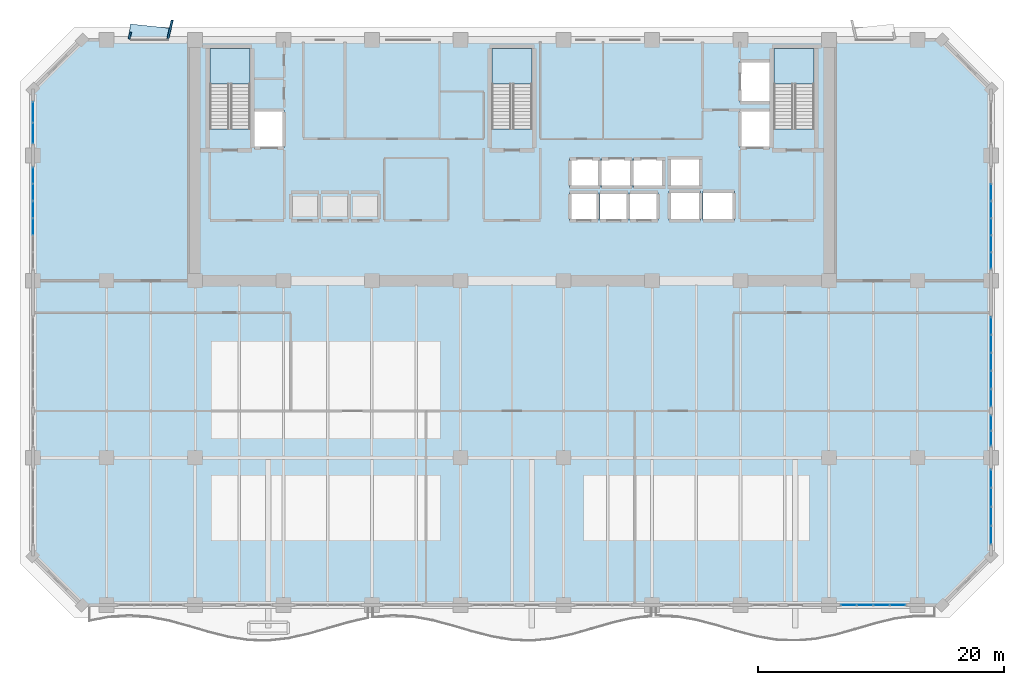
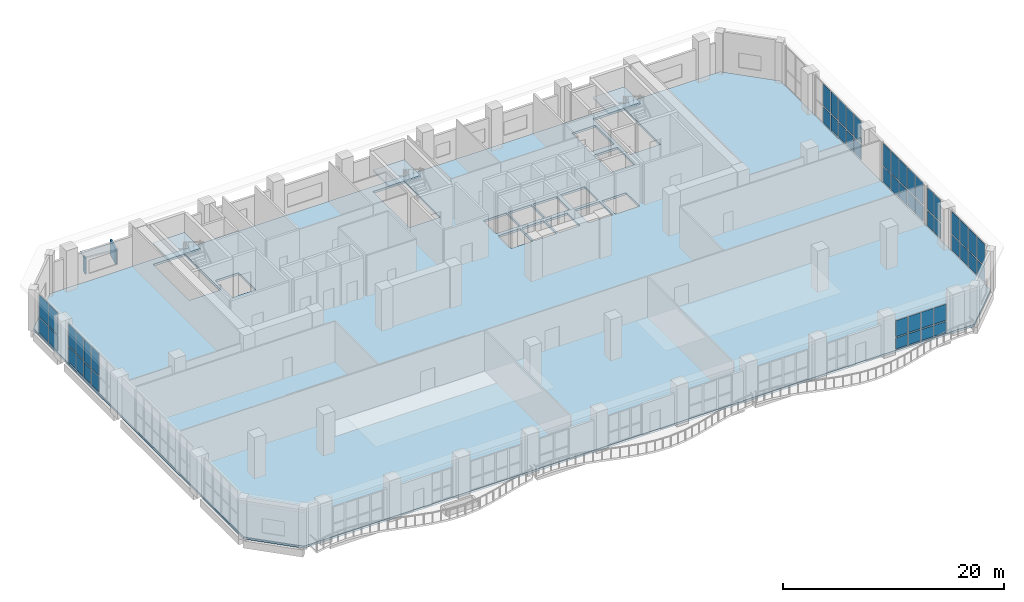
# One storey, part 27 of 37: 55 plates, 4 slabs, 10 elements without a shape of their own.
"""IFC4 building model written with IfcOpenShell, lengths in metres."""

import ifcopenshell
import ifcopenshell.guid

model = None  # the IFC model being written
_history = None  # IfcOwnerHistory: only IFC2X3 demands one
_inside = {}  # id of a spatial element -> (the spatial element, [elements in it])
_under = {}  # id of a project, library or spatial element -> (it, [spatial elements below it])
_declared = {}  # id of a project -> (the project, [libraries it declares])
_typed = {}  # id of a type object -> (the type object, [elements of that type])
_made_of = {}  # id of a material, layer set ... -> (it, [elements and type objects made of it])


def new_model(schema):
    """Start an empty IFC model of exactly this schema.

    Asked for "IFC4X3", IfcOpenShell would pick the latest addendum, in which some entities
    have other attributes; the version numbers below select the first issue.
    IFC2X3 requires an IfcOwnerHistory on every rooted entity: one is made here for all.
    """
    global model, _history
    if schema == "IFC4X3":
        model = ifcopenshell.file(schema_version=(4, 3, 0, 0))
    else:
        model = ifcopenshell.file(schema=schema)
    _inside.clear()
    _under.clear()
    _declared.clear()
    _typed.clear()
    _made_of.clear()
    _history = None
    if model.schema == "IFC2X3":
        org = make("IfcOrganization", Name="unknown")
        user = make(
            "IfcPersonAndOrganization",
            ThePerson=make("IfcPerson", FamilyName="unknown"),
            TheOrganization=org,
        )
        app = make(
            "IfcApplication",
            ApplicationDeveloper=org,
            Version="unknown",
            ApplicationFullName="unknown",
            ApplicationIdentifier="unknown",
        )
        _history = make(
            "IfcOwnerHistory",
            OwningUser=user,
            OwningApplication=app,
            ChangeAction="ADDED",
            CreationDate=0,
        )
    return model


def make(cls, **values):
    """One entity of the class cls with the attributes given. An attribute that is None is left unset."""
    return model.create_entity(
        cls, **{name: value for name, value in values.items() if value is not None}
    )


def rooted(cls, **values):
    """An entity with a GlobalId (a new one), such as an element, a storey or a relation."""
    return make(cls, GlobalId=ifcopenshell.guid.new(), OwnerHistory=_history, **values)


def si_unit(unit_type, name, prefix=None):
    """IfcSIUnit, for example si_unit("LENGTHUNIT", "METRE", prefix="MILLI")."""
    return make("IfcSIUnit", UnitType=unit_type, Prefix=prefix, Name=name)


def assignment(units):
    """IfcUnitAssignment: the units of a project."""
    return None if units is None else make("IfcUnitAssignment", Units=units)


def point(xyz):
    """IfcCartesianPoint."""
    return None if xyz is None else make("IfcCartesianPoint", Coordinates=xyz)


def direction(xyz):
    """IfcDirection."""
    return None if xyz is None else make("IfcDirection", DirectionRatios=xyz)


def frame(location, z_axis=None, x_axis=None):
    """IfcAxis2Placement3D, a coordinate frame: its origin and axes. An axis left out is left unset."""
    return make(
        "IfcAxis2Placement3D",
        Location=point(location),
        Axis=direction(z_axis),
        RefDirection=direction(x_axis),
    )


def frame_2d(location, x_axis=None):
    """IfcAxis2Placement2D, a coordinate frame in the plane: its origin and x axis."""
    return make(
        "IfcAxis2Placement2D", Location=point(location), RefDirection=direction(x_axis)
    )


def origin():
    """The frame at (0, 0, 0) with its axes left unset."""
    return frame((0.0, 0.0, 0.0))


def origin_2d():
    """The frame at (0, 0) in the plane with its x axis left unset."""
    return frame_2d((0.0, 0.0))


def place(relative_to, where):
    """IfcLocalPlacement: puts the frame where relative to a parent placement (None: the world)."""
    return make(
        "IfcLocalPlacement", PlacementRelTo=relative_to, RelativePlacement=where
    )


def context(
    kind, dimensions, precision=None, world=None, true_north=None, identifier=None
):
    """IfcGeometricRepresentationContext, for example the 3D "Model" context."""
    return make(
        "IfcGeometricRepresentationContext",
        ContextIdentifier=identifier,
        ContextType=kind,
        CoordinateSpaceDimension=dimensions,
        Precision=precision,
        WorldCoordinateSystem=world,
        TrueNorth=true_north,
    )


def subcontext(parent, identifier, kind, view, scale=None):
    """IfcGeometricRepresentationSubContext, for example "Body" below "Model"."""
    return make(
        "IfcGeometricRepresentationSubContext",
        ContextIdentifier=identifier,
        ContextType=kind,
        ParentContext=parent,
        TargetScale=scale,
        TargetView=view,
    )


def project(units=None, contexts=None):
    """IfcProject with its units and contexts."""
    return rooted(
        "IfcProject",
        Name="project",
        RepresentationContexts=contexts,
        UnitsInContext=assignment(units),
    )


def spatial(cls, under=None, at=None, **own):
    """A site, building, storey or space (cls), placed at a placement, below another one or the project."""
    s = rooted(cls, ObjectPlacement=at, **own)
    if under is not None:
        _under.setdefault(under.id(), (under, []))[1].append(s)
    return s


def polyline(points):
    """IfcPolyline through the points."""
    return make("IfcPolyline", Points=[point(p) for p in points])


def profile(cls, at=None, kind="AREA", **sizes):
    """A parametric profile (cls). Its sizes go by their IFC names, for example OverallWidth=200.0."""
    return make(cls, ProfileType=kind, Position=at, **sizes)


def rectangle(**sizes):
    """IfcRectangleProfileDef."""
    return profile("IfcRectangleProfileDef", **sizes)


def outline(outer, holes=None, kind="AREA"):
    """IfcArbitraryClosedProfileDef: a profile drawn as a closed curve; with holes, ...WithVoids."""
    if holes is None:
        return make("IfcArbitraryClosedProfileDef", ProfileType=kind, OuterCurve=outer)
    return make(
        "IfcArbitraryProfileDefWithVoids",
        ProfileType=kind,
        OuterCurve=outer,
        InnerCurves=holes,
    )


def extrude(swept, where, along, depth):
    """IfcExtrudedAreaSolid: the profile swept, set in the frame where, extruded along a direction by depth."""
    return make(
        "IfcExtrudedAreaSolid",
        SweptArea=swept,
        Position=where,
        ExtrudedDirection=direction(along),
        Depth=depth,
    )


def shape(context_of_items, identifier, shape_type, items):
    """IfcShapeRepresentation: the items that make up one representation, for example the "Body"."""
    return make(
        "IfcShapeRepresentation",
        ContextOfItems=context_of_items,
        RepresentationIdentifier=identifier,
        RepresentationType=shape_type,
        Items=items,
    )


def material(Name=None, Category=None):
    """IfcMaterial."""
    return make("IfcMaterial", Name=Name, Category=Category)


def layer(
    of_material, thickness, ventilated=None, Name=None, Category=None, Priority=None
):
    """IfcMaterialLayer: one layer of a wall or slab, of a material (None: an air gap)."""
    return make(
        "IfcMaterialLayer",
        Material=of_material,
        LayerThickness=thickness,
        IsVentilated=ventilated,
        Name=Name,
        Category=Category,
        Priority=Priority,
    )


def layer_set(layers, Name=None):
    """IfcMaterialLayerSet."""
    return make("IfcMaterialLayerSet", MaterialLayers=layers, LayerSetName=Name)


def made_of(thing, what):
    """Note that an element or type object is made of a material, layer set ...; save() writes the relation."""
    if what is not None:
        _made_of.setdefault(what.id(), (what, []))[1].append(thing)
    return thing


def type_object(cls, material=None, **own):
    """A type object (cls), such as IfcWallType, which elements share."""
    return made_of(rooted(cls, **own), material)


def element(
    cls,
    number,
    at=None,
    inside=None,
    cuts=None,
    type_object=None,
    material=None,
    context=None,
    identifier="Body",
    shape_type=None,
    held_by="IfcProductDefinitionShape",
    body=None,
    shapes=None,
    **own,
):
    """One element of the class cls, such as IfcWall. Its Tag is "e" and its number.

    at: its placement. inside: the storey or other place that contains it. cuts: it is an
    opening in that element (IfcRelVoidsElement). A single representation is given by context,
    identifier, shape_type and body (its items); several are given by shapes. held_by: the class
    of the entity that holds the representations. save() writes the other relations.
    """
    e = rooted(cls, Tag="e%d" % number, ObjectPlacement=at, **own)
    if body is not None:
        shapes = [shape(context, identifier, shape_type, body)]
    if shapes is not None:
        e.Representation = make(held_by, Representations=shapes)
    if inside is not None:
        _inside.setdefault(inside.id(), (inside, []))[1].append(e)
    if cuts is not None:
        rooted(
            "IfcRelVoidsElement", RelatingBuildingElement=cuts, RelatedOpeningElement=e
        )
    if type_object is not None:
        _typed.setdefault(type_object.id(), (type_object, []))[1].append(e)
    return made_of(e, material)


def aggregate(whole, parts):
    """IfcRelAggregates: a whole, such as a stair, and the parts it consists of."""
    return rooted("IfcRelAggregates", RelatingObject=whole, RelatedObjects=parts)


def save(model, path):
    """Write the relations noted so far, then the file.

    IfcRelAggregates (storeys below a building ...), IfcRelContainedInSpatialStructure (elements
    in a storey), IfcRelDefinesByType, IfcRelAssociatesMaterial and IfcRelDeclares: one each for
    every whole, place, type object, material and project.
    """
    for whole, parts in _under.values():
        aggregate(whole, parts)
    for where, things in _inside.values():
        rooted(
            "IfcRelContainedInSpatialStructure",
            RelatedElements=things,
            RelatingStructure=where,
        )
    for kind, things in _typed.values():
        rooted("IfcRelDefinesByType", RelatedObjects=things, RelatingType=kind)
    for what, things in _made_of.values():
        rooted("IfcRelAssociatesMaterial", RelatedObjects=things, RelatingMaterial=what)
    for by, libraries in _declared.values():
        rooted("IfcRelDeclares", RelatingContext=by, RelatedDefinitions=libraries)
    model.write(path)


model = new_model("IFC4")

# Units and contexts
model_context = context("Model", 3, precision=1e-05, world=origin(), true_north=direction((0.0, 1.0)))
body_context = subcontext(model_context, "Body", "Model", "MODEL_VIEW")
ifc_project = project(units=[si_unit("LENGTHUNIT", "METRE"), si_unit("AREAUNIT", "SQUARE_METRE"), si_unit("VOLUMEUNIT", "CUBIC_METRE"), si_unit("PLANEANGLEUNIT", "RADIAN"), si_unit("MASSUNIT", "GRAM", prefix="KILO")], contexts=[model_context])

# Site, building, storey
site_placement = place(None, origin())
site = spatial("IfcSite", under=ifc_project, at=site_placement, CompositionType="ELEMENT")
building_placement = place(site_placement, origin())
building = spatial("IfcBuilding", under=site, at=building_placement, Name="Kaelvorn Grand Hotel", CompositionType="ELEMENT")
storey_placement = place(building_placement, frame((0.0, 0.0, 224.35009765625)))
storey = spatial("IfcBuildingStorey", under=building, at=storey_placement, Name="L55", CompositionType="ELEMENT", Elevation=224.35009765625)

# Curtain wall, plates
ifc_material_1 = material(Name="Anodised Aluminium", Category="aluminium")
ifc_layer_1 = layer(ifc_material_1, 0.179931640625)
ifc_layer_set_1 = layer_set([ifc_layer_1], Name="Anodised Aluminium")
curtain_wall_type = type_object("IfcCurtainWallType", Name="CW-SYS4", PredefinedType="NOTDEFINED", material=ifc_layer_set_1)
curtain_wall_1_placement = place(storey_placement, origin())
curtain_wall_1 = element("IfcCurtainWall", 1, at=curtain_wall_1_placement, inside=storey, type_object=curtain_wall_type, Name="L55 Unitised Curtain Wall CW4 (CW-L55-SB4-01)", PredefinedType="NOTDEFINED")
ifc_material_2 = material(Name="Laminated Low-E Glass", Category="glass")
ifc_layer_2 = layer(ifc_material_2, 0.028076171875)
ifc_layer_set_2 = layer_set([ifc_layer_2], Name="Laminated Low-E Glass")
plate_type_1 = type_object("IfcPlateType", Name="CW-SYS4-PAN", PredefinedType="CURTAIN_PANEL", material=ifc_layer_set_2)
plate_1_placement = place(storey_placement, frame((69.407470703125, 3.0, 0.134765625), z_axis=(0.0, 0.0, 1.0), x_axis=(1.0, 0.0, 0.0)))
plate_1 = element("IfcPlate", 2, at=plate_1_placement, type_object=plate_type_1, Name="CW4 panel 1.1", PredefinedType="CURTAIN_PANEL", context=body_context, shape_type="SweptSolid", body=[
    extrude(rectangle(XDim=1.235107421875, YDim=0.028076171875, at=origin_2d()), origin(), (0.0, 0.0, 1.0), 1.2255859375),
])
plate_2_placement = place(storey_placement, frame((69.407470703125, 3.0, 1.495361328125), z_axis=(0.0, 0.0, 1.0), x_axis=(1.0, 0.0, 0.0)))
plate_2 = element("IfcPlate", 3, at=plate_2_placement, type_object=plate_type_1, Name="CW4 panel 1.2", PredefinedType="CURTAIN_PANEL", context=body_context, shape_type="SweptSolid", body=[
    extrude(rectangle(XDim=1.235107421875, YDim=0.028076171875, at=origin_2d()), origin(), (0.0, 0.0, 1.0), 1.76953125),
])
plate_3_placement = place(storey_placement, frame((70.72998046875, 3.0, 0.134765625), z_axis=(0.0, 0.0, 1.0), x_axis=(1.0, 0.0, 0.0)))
plate_3 = element("IfcPlate", 4, at=plate_3_placement, type_object=plate_type_1, Name="CW4 panel 2.1", PredefinedType="CURTAIN_PANEL", context=body_context, shape_type="SweptSolid", body=[
    extrude(rectangle(XDim=1.27001953125, YDim=0.028076171875, at=origin_2d()), origin(), (0.0, 0.0, 1.0), 1.2255859375),
])
plate_4_placement = place(storey_placement, frame((70.72998046875, 3.0, 1.495361328125), z_axis=(0.0, 0.0, 1.0), x_axis=(1.0, 0.0, 0.0)))
plate_4 = element("IfcPlate", 5, at=plate_4_placement, type_object=plate_type_1, Name="CW4 panel 2.2", PredefinedType="CURTAIN_PANEL", context=body_context, shape_type="SweptSolid", body=[
    extrude(rectangle(XDim=1.27001953125, YDim=0.028076171875, at=origin_2d()), origin(), (0.0, 0.0, 1.0), 1.76953125),
])
plate_5_placement = place(storey_placement, frame((72.070068359375, 3.0, 0.134765625), z_axis=(0.0, 0.0, 1.0), x_axis=(1.0, 0.0, 0.0)))
plate_5 = element("IfcPlate", 6, at=plate_5_placement, type_object=plate_type_1, Name="CW4 panel 3.1", PredefinedType="CURTAIN_PANEL", context=body_context, shape_type="SweptSolid", body=[
    extrude(rectangle(XDim=1.27001953125, YDim=0.028076171875, at=origin_2d()), origin(), (0.0, 0.0, 1.0), 1.2255859375),
])
plate_6_placement = place(storey_placement, frame((72.070068359375, 3.0, 1.495361328125), z_axis=(0.0, 0.0, 1.0), x_axis=(1.0, 0.0, 0.0)))
plate_6 = element("IfcPlate", 7, at=plate_6_placement, type_object=plate_type_1, Name="CW4 panel 3.2", PredefinedType="CURTAIN_PANEL", context=body_context, shape_type="SweptSolid", body=[
    extrude(rectangle(XDim=1.27001953125, YDim=0.028076171875, at=origin_2d()), origin(), (0.0, 0.0, 1.0), 1.76953125),
])
plate_7_placement = place(storey_placement, frame((73.392578125, 3.0, 0.134765625), z_axis=(0.0, 0.0, 1.0), x_axis=(1.0, 0.0, 0.0)))
plate_7 = element("IfcPlate", 8, at=plate_7_placement, type_object=plate_type_1, Name="CW4 panel 4.1", PredefinedType="CURTAIN_PANEL", context=body_context, shape_type="SweptSolid", body=[
    extrude(rectangle(XDim=1.235107421875, YDim=0.028076171875, at=origin_2d()), origin(), (0.0, 0.0, 1.0), 1.2255859375),
])
plate_8_placement = place(storey_placement, frame((73.392578125, 3.0, 1.495361328125), z_axis=(0.0, 0.0, 1.0), x_axis=(1.0, 0.0, 0.0)))
plate_8 = element("IfcPlate", 9, at=plate_8_placement, type_object=plate_type_1, Name="CW4 panel 4.2", PredefinedType="CURTAIN_PANEL", context=body_context, shape_type="SweptSolid", body=[
    extrude(rectangle(XDim=1.235107421875, YDim=0.028076171875, at=origin_2d()), origin(), (0.0, 0.0, 1.0), 1.76953125),
])
aggregate(curtain_wall_1, [plate_1, plate_2, plate_3, plate_4, plate_5, plate_6, plate_7, plate_8])

curtain_wall_2_placement = place(storey_placement, origin())
curtain_wall_2 = element("IfcCurtainWall", 10, at=curtain_wall_2_placement, inside=storey, type_object=curtain_wall_type, Name="L55 Unitised Curtain Wall CW4 (CW-L55-E-01)", PredefinedType="NOTDEFINED")
plate_9_placement = place(storey_placement, frame((81.0, 8.70751953125, 0.135009765625), z_axis=(0.0, 0.0, 1.0), x_axis=(0.0, 1.0, 0.0)))
plate_9 = element("IfcPlate", 11, at=plate_9_placement, type_object=plate_type_1, Name="CW4 panel 1.1", PredefinedType="CURTAIN_PANEL", context=body_context, shape_type="SweptSolid", body=[
    extrude(rectangle(XDim=1.43505859375, YDim=0.028076171875, at=origin_2d()), origin(), (0.0, 0.0, 1.0), 1.69580078125),
])
plate_10_placement = place(storey_placement, frame((81.0, 8.70751953125, 1.9658203125), z_axis=(0.0, 0.0, 1.0), x_axis=(0.0, 1.0, 0.0)))
plate_10 = element("IfcPlate", 12, at=plate_10_placement, type_object=plate_type_1, Name="CW4 panel 1.2", PredefinedType="CURTAIN_PANEL", context=body_context, shape_type="SweptSolid", body=[
    extrude(rectangle(XDim=1.43505859375, YDim=0.028076171875, at=origin_2d()), origin(), (0.0, 0.0, 1.0), 2.419189453125),
])
plate_11_placement = place(storey_placement, frame((81.0, 10.22998046875, 0.135009765625), z_axis=(0.0, 0.0, 1.0), x_axis=(0.0, 1.0, 0.0)))
plate_11 = element("IfcPlate", 13, at=plate_11_placement, type_object=plate_type_1, Name="CW4 panel 2.1", PredefinedType="CURTAIN_PANEL", context=body_context, shape_type="SweptSolid", body=[
    extrude(rectangle(XDim=1.469970703125, YDim=0.028076171875, at=origin_2d()), origin(), (0.0, 0.0, 1.0), 1.69580078125),
])
plate_12_placement = place(storey_placement, frame((81.0, 10.22998046875, 1.9658203125), z_axis=(0.0, 0.0, 1.0), x_axis=(0.0, 1.0, 0.0)))
plate_12 = element("IfcPlate", 14, at=plate_12_placement, type_object=plate_type_1, Name="CW4 panel 2.2", PredefinedType="CURTAIN_PANEL", context=body_context, shape_type="SweptSolid", body=[
    extrude(rectangle(XDim=1.469970703125, YDim=0.028076171875, at=origin_2d()), origin(), (0.0, 0.0, 1.0), 2.419189453125),
])
plate_13_placement = place(storey_placement, frame((81.0, 11.77001953125, 0.135009765625), z_axis=(0.0, 0.0, 1.0), x_axis=(0.0, 1.0, 0.0)))
plate_13 = element("IfcPlate", 15, at=plate_13_placement, type_object=plate_type_1, Name="CW4 panel 3.1", PredefinedType="CURTAIN_PANEL", context=body_context, shape_type="SweptSolid", body=[
    extrude(rectangle(XDim=1.469970703125, YDim=0.028076171875, at=origin_2d()), origin(), (0.0, 0.0, 1.0), 1.69580078125),
])
plate_14_placement = place(storey_placement, frame((81.0, 11.77001953125, 1.9658203125), z_axis=(0.0, 0.0, 1.0), x_axis=(0.0, 1.0, 0.0)))
plate_14 = element("IfcPlate", 16, at=plate_14_placement, type_object=plate_type_1, Name="CW4 panel 3.2", PredefinedType="CURTAIN_PANEL", context=body_context, shape_type="SweptSolid", body=[
    extrude(rectangle(XDim=1.469970703125, YDim=0.028076171875, at=origin_2d()), origin(), (0.0, 0.0, 1.0), 2.419189453125),
])
plate_15_placement = place(storey_placement, frame((81.0, 13.29248046875, 0.135009765625), z_axis=(0.0, 0.0, 1.0), x_axis=(0.0, 1.0, 0.0)))
plate_15 = element("IfcPlate", 17, at=plate_15_placement, type_object=plate_type_1, Name="CW4 panel 4.1", PredefinedType="CURTAIN_PANEL", context=body_context, shape_type="SweptSolid", body=[
    extrude(rectangle(XDim=1.43505859375, YDim=0.028076171875, at=origin_2d()), origin(), (0.0, 0.0, 1.0), 1.69580078125),
])
plate_16_placement = place(storey_placement, frame((81.0, 13.29248046875, 1.9658203125), z_axis=(0.0, 0.0, 1.0), x_axis=(0.0, 1.0, 0.0)))
plate_16 = element("IfcPlate", 18, at=plate_16_placement, type_object=plate_type_1, Name="CW4 panel 4.2", PredefinedType="CURTAIN_PANEL", context=body_context, shape_type="SweptSolid", body=[
    extrude(rectangle(XDim=1.43505859375, YDim=0.028076171875, at=origin_2d()), origin(), (0.0, 0.0, 1.0), 2.419189453125),
])
aggregate(curtain_wall_2, [plate_9, plate_10, plate_11, plate_12, plate_13, plate_14, plate_15, plate_16])

curtain_wall_3_placement = place(storey_placement, origin())
curtain_wall_3 = element("IfcCurtainWall", 19, at=curtain_wall_3_placement, inside=storey, type_object=curtain_wall_type, Name="L55 Unitised Curtain Wall CW4 (CW-L55-E-02)", PredefinedType="NOTDEFINED")
plate_17_placement = place(storey_placement, frame((81.0, 16.577392578125, 0.135009765625), z_axis=(0.0, 0.0, 1.0), x_axis=(0.0, 1.0, 0.0)))
plate_17 = element("IfcPlate", 20, at=plate_17_placement, type_object=plate_type_1, Name="CW4 panel 1.1", PredefinedType="CURTAIN_PANEL", context=body_context, shape_type="SweptSolid", body=[
    extrude(rectangle(XDim=1.175048828125, YDim=0.028076171875, at=origin_2d()), origin(), (0.0, 0.0, 1.0), 1.69580078125),
])
plate_18_placement = place(storey_placement, frame((81.0, 16.577392578125, 1.9658203125), z_axis=(0.0, 0.0, 1.0), x_axis=(0.0, 1.0, 0.0)))
plate_18 = element("IfcPlate", 21, at=plate_18_placement, type_object=plate_type_1, Name="CW4 panel 1.2", PredefinedType="CURTAIN_PANEL", context=body_context, shape_type="SweptSolid", body=[
    extrude(rectangle(XDim=1.175048828125, YDim=0.028076171875, at=origin_2d()), origin(), (0.0, 0.0, 1.0), 2.419189453125),
])
plate_19_placement = place(storey_placement, frame((81.0, 17.822509765625, 0.135009765625), z_axis=(0.0, 0.0, 1.0), x_axis=(0.0, 1.0, 0.0)))
plate_19 = element("IfcPlate", 22, at=plate_19_placement, type_object=plate_type_1, Name="CW4 panel 2.1", PredefinedType="CURTAIN_PANEL", context=body_context, shape_type="SweptSolid", body=[
    extrude(rectangle(XDim=1.175048828125, YDim=0.028076171875, at=origin_2d()), origin(), (0.0, 0.0, 1.0), 1.69580078125),
])
plate_20_placement = place(storey_placement, frame((81.0, 17.822509765625, 1.9658203125), z_axis=(0.0, 0.0, 1.0), x_axis=(0.0, 1.0, 0.0)))
plate_20 = element("IfcPlate", 23, at=plate_20_placement, type_object=plate_type_1, Name="CW4 panel 2.2", PredefinedType="CURTAIN_PANEL", context=body_context, shape_type="SweptSolid", body=[
    extrude(rectangle(XDim=1.175048828125, YDim=0.028076171875, at=origin_2d()), origin(), (0.0, 0.0, 1.0), 2.419189453125),
])
aggregate(curtain_wall_3, [plate_17, plate_18, plate_19, plate_20])

curtain_wall_4_placement = place(storey_placement, origin())
curtain_wall_4 = element("IfcCurtainWall", 24, at=curtain_wall_4_placement, inside=storey, type_object=curtain_wall_type, Name="L55 Unitised Curtain Wall CW4 (CW-L55-E-03)", PredefinedType="NOTDEFINED")
plate_21_placement = place(storey_placement, frame((81.0, 19.87353515625, 0.135009765625), z_axis=(0.0, 0.0, 1.0), x_axis=(0.0, 1.0, 0.0)))
plate_21 = element("IfcPlate", 25, at=plate_21_placement, type_object=plate_type_1, Name="CW4 panel 1.1", PredefinedType="CURTAIN_PANEL", context=body_context, shape_type="SweptSolid", body=[
    extrude(rectangle(XDim=1.366943359375, YDim=0.028076171875, at=origin_2d()), origin(), (0.0, 0.0, 1.0), 1.69580078125),
])
plate_22_placement = place(storey_placement, frame((81.0, 19.87353515625, 1.9658203125), z_axis=(0.0, 0.0, 1.0), x_axis=(0.0, 1.0, 0.0)))
plate_22 = element("IfcPlate", 26, at=plate_22_placement, type_object=plate_type_1, Name="CW4 panel 1.2", PredefinedType="CURTAIN_PANEL", context=body_context, shape_type="SweptSolid", body=[
    extrude(rectangle(XDim=1.366943359375, YDim=0.028076171875, at=origin_2d()), origin(), (0.0, 0.0, 1.0), 2.419189453125),
])
plate_23_placement = place(storey_placement, frame((81.0, 21.327880859375, 0.135009765625), z_axis=(0.0, 0.0, 1.0), x_axis=(0.0, 1.0, 0.0)))
plate_23 = element("IfcPlate", 27, at=plate_23_placement, type_object=plate_type_1, Name="CW4 panel 2.1", PredefinedType="CURTAIN_PANEL", context=body_context, shape_type="SweptSolid", body=[
    extrude(rectangle(XDim=1.402099609375, YDim=0.028076171875, at=origin_2d()), origin(), (0.0, 0.0, 1.0), 1.69580078125),
])
plate_24_placement = place(storey_placement, frame((81.0, 21.327880859375, 1.9658203125), z_axis=(0.0, 0.0, 1.0), x_axis=(0.0, 1.0, 0.0)))
plate_24 = element("IfcPlate", 28, at=plate_24_placement, type_object=plate_type_1, Name="CW4 panel 2.2", PredefinedType="CURTAIN_PANEL", context=body_context, shape_type="SweptSolid", body=[
    extrude(rectangle(XDim=1.402099609375, YDim=0.028076171875, at=origin_2d()), origin(), (0.0, 0.0, 1.0), 2.419189453125),
])
plate_25_placement = place(storey_placement, frame((81.0, 22.800048828125, 0.135009765625), z_axis=(0.0, 0.0, 1.0), x_axis=(0.0, 1.0, 0.0)))
plate_25 = element("IfcPlate", 29, at=plate_25_placement, type_object=plate_type_1, Name="CW4 panel 3.1", PredefinedType="CURTAIN_PANEL", context=body_context, shape_type="SweptSolid", body=[
    extrude(rectangle(XDim=1.402099609375, YDim=0.028076171875, at=origin_2d()), origin(), (0.0, 0.0, 1.0), 1.69580078125),
])
plate_26_placement = place(storey_placement, frame((81.0, 22.800048828125, 1.9658203125), z_axis=(0.0, 0.0, 1.0), x_axis=(0.0, 1.0, 0.0)))
plate_26 = element("IfcPlate", 30, at=plate_26_placement, type_object=plate_type_1, Name="CW4 panel 3.2", PredefinedType="CURTAIN_PANEL", context=body_context, shape_type="SweptSolid", body=[
    extrude(rectangle(XDim=1.402099609375, YDim=0.028076171875, at=origin_2d()), origin(), (0.0, 0.0, 1.0), 2.419189453125),
])
plate_27_placement = place(storey_placement, frame((81.0, 24.27197265625, 0.135009765625), z_axis=(0.0, 0.0, 1.0), x_axis=(0.0, 1.0, 0.0)))
plate_27 = element("IfcPlate", 31, at=plate_27_placement, type_object=plate_type_1, Name="CW4 panel 4.1", PredefinedType="CURTAIN_PANEL", context=body_context, shape_type="SweptSolid", body=[
    extrude(rectangle(XDim=1.402099609375, YDim=0.028076171875, at=origin_2d()), origin(), (0.0, 0.0, 1.0), 1.69580078125),
])
plate_28_placement = place(storey_placement, frame((81.0, 24.27197265625, 1.9658203125), z_axis=(0.0, 0.0, 1.0), x_axis=(0.0, 1.0, 0.0)))
plate_28 = element("IfcPlate", 32, at=plate_28_placement, type_object=plate_type_1, Name="CW4 panel 4.2", PredefinedType="CURTAIN_PANEL", context=body_context, shape_type="SweptSolid", body=[
    extrude(rectangle(XDim=1.402099609375, YDim=0.028076171875, at=origin_2d()), origin(), (0.0, 0.0, 1.0), 2.419189453125),
])
plate_29_placement = place(storey_placement, frame((81.0, 25.7265625, 0.135009765625), z_axis=(0.0, 0.0, 1.0), x_axis=(0.0, 1.0, 0.0)))
plate_29 = element("IfcPlate", 33, at=plate_29_placement, type_object=plate_type_1, Name="CW4 panel 5.1", PredefinedType="CURTAIN_PANEL", context=body_context, shape_type="SweptSolid", body=[
    extrude(rectangle(XDim=1.366943359375, YDim=0.028076171875, at=origin_2d()), origin(), (0.0, 0.0, 1.0), 1.69580078125),
])
plate_30_placement = place(storey_placement, frame((81.0, 25.7265625, 1.9658203125), z_axis=(0.0, 0.0, 1.0), x_axis=(0.0, 1.0, 0.0)))
plate_30 = element("IfcPlate", 34, at=plate_30_placement, type_object=plate_type_1, Name="CW4 panel 5.2", PredefinedType="CURTAIN_PANEL", context=body_context, shape_type="SweptSolid", body=[
    extrude(rectangle(XDim=1.366943359375, YDim=0.028076171875, at=origin_2d()), origin(), (0.0, 0.0, 1.0), 2.419189453125),
])
aggregate(curtain_wall_4, [plate_21, plate_22, plate_23, plate_24, plate_25, plate_26, plate_27, plate_28, plate_29, plate_30])

curtain_wall_5_placement = place(storey_placement, origin())
curtain_wall_5 = element("IfcCurtainWall", 35, at=curtain_wall_5_placement, inside=storey, type_object=curtain_wall_type, Name="L55 Unitised Curtain Wall CW4 (CW-L55-E-04)", PredefinedType="NOTDEFINED")
plate_31_placement = place(storey_placement, frame((81.0, 31.0341796875, 0.135009765625), z_axis=(0.0, 0.0, 1.0), x_axis=(0.0, 1.0, 0.0)))
plate_31 = element("IfcPlate", 36, at=plate_31_placement, type_object=plate_type_1, Name="CW4 panel 1.1", PredefinedType="CURTAIN_PANEL", context=body_context, shape_type="SweptSolid", body=[
    extrude(rectangle(XDim=1.288330078125, YDim=0.028076171875, at=origin_2d()), origin(), (0.0, 0.0, 1.0), 1.69580078125),
])
plate_32_placement = place(storey_placement, frame((81.0, 31.0341796875, 1.9658203125), z_axis=(0.0, 0.0, 1.0), x_axis=(0.0, 1.0, 0.0)))
plate_32 = element("IfcPlate", 37, at=plate_32_placement, type_object=plate_type_1, Name="CW4 panel 1.2", PredefinedType="CURTAIN_PANEL", context=body_context, shape_type="SweptSolid", body=[
    extrude(rectangle(XDim=1.288330078125, YDim=0.028076171875, at=origin_2d()), origin(), (0.0, 0.0, 1.0), 2.419189453125),
])
plate_33_placement = place(storey_placement, frame((81.0, 32.409912109375, 0.135009765625), z_axis=(0.0, 0.0, 1.0), x_axis=(0.0, 1.0, 0.0)))
plate_33 = element("IfcPlate", 38, at=plate_33_placement, type_object=plate_type_1, Name="CW4 panel 2.1", PredefinedType="CURTAIN_PANEL", context=body_context, shape_type="SweptSolid", body=[
    extrude(rectangle(XDim=1.3232421875, YDim=0.028076171875, at=origin_2d()), origin(), (0.0, 0.0, 1.0), 1.69580078125),
])
plate_34_placement = place(storey_placement, frame((81.0, 32.409912109375, 1.9658203125), z_axis=(0.0, 0.0, 1.0), x_axis=(0.0, 1.0, 0.0)))
plate_34 = element("IfcPlate", 39, at=plate_34_placement, type_object=plate_type_1, Name="CW4 panel 2.2", PredefinedType="CURTAIN_PANEL", context=body_context, shape_type="SweptSolid", body=[
    extrude(rectangle(XDim=1.3232421875, YDim=0.028076171875, at=origin_2d()), origin(), (0.0, 0.0, 1.0), 2.419189453125),
])
plate_35_placement = place(storey_placement, frame((81.0, 33.80322265625, 0.135009765625), z_axis=(0.0, 0.0, 1.0), x_axis=(0.0, 1.0, 0.0)))
plate_35 = element("IfcPlate", 40, at=plate_35_placement, type_object=plate_type_1, Name="CW4 panel 3.1", PredefinedType="CURTAIN_PANEL", context=body_context, shape_type="SweptSolid", body=[
    extrude(rectangle(XDim=1.3232421875, YDim=0.028076171875, at=origin_2d()), origin(), (0.0, 0.0, 1.0), 1.69580078125),
])
plate_36_placement = place(storey_placement, frame((81.0, 33.80322265625, 1.9658203125), z_axis=(0.0, 0.0, 1.0), x_axis=(0.0, 1.0, 0.0)))
plate_36 = element("IfcPlate", 41, at=plate_36_placement, type_object=plate_type_1, Name="CW4 panel 3.2", PredefinedType="CURTAIN_PANEL", context=body_context, shape_type="SweptSolid", body=[
    extrude(rectangle(XDim=1.3232421875, YDim=0.028076171875, at=origin_2d()), origin(), (0.0, 0.0, 1.0), 2.419189453125),
])
plate_37_placement = place(storey_placement, frame((81.0, 35.19677734375, 0.135009765625), z_axis=(0.0, 0.0, 1.0), x_axis=(0.0, 1.0, 0.0)))
plate_37 = element("IfcPlate", 42, at=plate_37_placement, type_object=plate_type_1, Name="CW4 panel 4.1", PredefinedType="CURTAIN_PANEL", context=body_context, shape_type="SweptSolid", body=[
    extrude(rectangle(XDim=1.3232421875, YDim=0.028076171875, at=origin_2d()), origin(), (0.0, 0.0, 1.0), 1.69580078125),
])
plate_38_placement = place(storey_placement, frame((81.0, 35.19677734375, 1.9658203125), z_axis=(0.0, 0.0, 1.0), x_axis=(0.0, 1.0, 0.0)))
plate_38 = element("IfcPlate", 43, at=plate_38_placement, type_object=plate_type_1, Name="CW4 panel 4.2", PredefinedType="CURTAIN_PANEL", context=body_context, shape_type="SweptSolid", body=[
    extrude(rectangle(XDim=1.3232421875, YDim=0.028076171875, at=origin_2d()), origin(), (0.0, 0.0, 1.0), 2.419189453125),
])
plate_39_placement = place(storey_placement, frame((81.0, 36.590087890625, 0.135009765625), z_axis=(0.0, 0.0, 1.0), x_axis=(0.0, 1.0, 0.0)))
plate_39 = element("IfcPlate", 44, at=plate_39_placement, type_object=plate_type_1, Name="CW4 panel 5.1", PredefinedType="CURTAIN_PANEL", context=body_context, shape_type="SweptSolid", body=[
    extrude(rectangle(XDim=1.3232421875, YDim=0.028076171875, at=origin_2d()), origin(), (0.0, 0.0, 1.0), 1.69580078125),
])
plate_40_placement = place(storey_placement, frame((81.0, 36.590087890625, 1.9658203125), z_axis=(0.0, 0.0, 1.0), x_axis=(0.0, 1.0, 0.0)))
plate_40 = element("IfcPlate", 45, at=plate_40_placement, type_object=plate_type_1, Name="CW4 panel 5.2", PredefinedType="CURTAIN_PANEL", context=body_context, shape_type="SweptSolid", body=[
    extrude(rectangle(XDim=1.3232421875, YDim=0.028076171875, at=origin_2d()), origin(), (0.0, 0.0, 1.0), 2.419189453125),
])
aggregate(curtain_wall_5, [plate_31, plate_32, plate_33, plate_34, plate_35, plate_36, plate_37, plate_38, plate_39, plate_40])

curtain_wall_6_placement = place(storey_placement, origin())
curtain_wall_6 = element("IfcCurtainWall", 46, at=curtain_wall_6_placement, inside=storey, type_object=curtain_wall_type, Name="L55 Unitised Curtain Wall CW4 (CW-L55-W-05)", PredefinedType="NOTDEFINED")
plate_41_placement = place(storey_placement, frame((3.0, 43.112548828125, 0.135009765625), z_axis=(0.0, 0.0, 1.0), x_axis=(0.0, -1.0, 0.0)))
plate_41 = element("IfcPlate", 47, at=plate_41_placement, type_object=plate_type_1, Name="CW4 panel 1.1", PredefinedType="CURTAIN_PANEL", context=body_context, shape_type="SweptSolid", body=[
    extrude(rectangle(XDim=1.635009765625, YDim=0.028076171875, at=origin_2d()), origin(), (0.0, 0.0, 1.0), 1.69580078125),
])
plate_42_placement = place(storey_placement, frame((3.0, 43.112548828125, 1.9658203125), z_axis=(0.0, 0.0, 1.0), x_axis=(0.0, -1.0, 0.0)))
plate_42 = element("IfcPlate", 48, at=plate_42_placement, type_object=plate_type_1, Name="CW4 panel 1.2", PredefinedType="CURTAIN_PANEL", context=body_context, shape_type="SweptSolid", body=[
    extrude(rectangle(XDim=1.635009765625, YDim=0.028076171875, at=origin_2d()), origin(), (0.0, 0.0, 1.0), 2.419189453125),
])
plate_43_placement = place(storey_placement, frame((3.0, 41.407470703125, 0.135009765625), z_axis=(0.0, 0.0, 1.0), x_axis=(0.0, -1.0, 0.0)))
plate_43 = element("IfcPlate", 49, at=plate_43_placement, type_object=plate_type_1, Name="CW4 panel 2.1", PredefinedType="CURTAIN_PANEL", context=body_context, shape_type="SweptSolid", body=[
    extrude(rectangle(XDim=1.635009765625, YDim=0.028076171875, at=origin_2d()), origin(), (0.0, 0.0, 1.0), 1.69580078125),
])
plate_44_placement = place(storey_placement, frame((3.0, 41.407470703125, 1.9658203125), z_axis=(0.0, 0.0, 1.0), x_axis=(0.0, -1.0, 0.0)))
plate_44 = element("IfcPlate", 50, at=plate_44_placement, type_object=plate_type_1, Name="CW4 panel 2.2", PredefinedType="CURTAIN_PANEL", context=body_context, shape_type="SweptSolid", body=[
    extrude(rectangle(XDim=1.635009765625, YDim=0.028076171875, at=origin_2d()), origin(), (0.0, 0.0, 1.0), 2.419189453125),
])
aggregate(curtain_wall_6, [plate_41, plate_42, plate_43, plate_44])

curtain_wall_7_placement = place(storey_placement, origin())
curtain_wall_7 = element("IfcCurtainWall", 51, at=curtain_wall_7_placement, inside=storey, type_object=curtain_wall_type, Name="L55 Unitised Curtain Wall CW4 (CW-L55-W-04)", PredefinedType="NOTDEFINED")
plate_45_placement = place(storey_placement, frame((3.0, 37.9658203125, 0.135009765625), z_axis=(0.0, 0.0, 1.0), x_axis=(0.0, -1.0, 0.0)))
plate_45 = element("IfcPlate", 52, at=plate_45_placement, type_object=plate_type_1, Name="CW4 panel 1.1", PredefinedType="CURTAIN_PANEL", context=body_context, shape_type="SweptSolid", body=[
    extrude(rectangle(XDim=1.288330078125, YDim=0.028076171875, at=origin_2d()), origin(), (0.0, 0.0, 1.0), 1.69580078125),
])
plate_46_placement = place(storey_placement, frame((3.0, 37.9658203125, 1.9658203125), z_axis=(0.0, 0.0, 1.0), x_axis=(0.0, -1.0, 0.0)))
plate_46 = element("IfcPlate", 53, at=plate_46_placement, type_object=plate_type_1, Name="CW4 panel 1.2", PredefinedType="CURTAIN_PANEL", context=body_context, shape_type="SweptSolid", body=[
    extrude(rectangle(XDim=1.288330078125, YDim=0.028076171875, at=origin_2d()), origin(), (0.0, 0.0, 1.0), 2.419189453125),
])
plate_47_placement = place(storey_placement, frame((3.0, 36.590087890625, 0.135009765625), z_axis=(0.0, 0.0, 1.0), x_axis=(0.0, -1.0, 0.0)))
plate_47 = element("IfcPlate", 54, at=plate_47_placement, type_object=plate_type_1, Name="CW4 panel 2.1", PredefinedType="CURTAIN_PANEL", context=body_context, shape_type="SweptSolid", body=[
    extrude(rectangle(XDim=1.3232421875, YDim=0.028076171875, at=origin_2d()), origin(), (0.0, 0.0, 1.0), 1.69580078125),
])
plate_48_placement = place(storey_placement, frame((3.0, 36.590087890625, 1.9658203125), z_axis=(0.0, 0.0, 1.0), x_axis=(0.0, -1.0, 0.0)))
plate_48 = element("IfcPlate", 55, at=plate_48_placement, type_object=plate_type_1, Name="CW4 panel 2.2", PredefinedType="CURTAIN_PANEL", context=body_context, shape_type="SweptSolid", body=[
    extrude(rectangle(XDim=1.3232421875, YDim=0.028076171875, at=origin_2d()), origin(), (0.0, 0.0, 1.0), 2.419189453125),
])
plate_49_placement = place(storey_placement, frame((3.0, 35.19677734375, 0.135009765625), z_axis=(0.0, 0.0, 1.0), x_axis=(0.0, -1.0, 0.0)))
plate_49 = element("IfcPlate", 56, at=plate_49_placement, type_object=plate_type_1, Name="CW4 panel 3.1", PredefinedType="CURTAIN_PANEL", context=body_context, shape_type="SweptSolid", body=[
    extrude(rectangle(XDim=1.3232421875, YDim=0.028076171875, at=origin_2d()), origin(), (0.0, 0.0, 1.0), 1.69580078125),
])
plate_50_placement = place(storey_placement, frame((3.0, 35.19677734375, 1.9658203125), z_axis=(0.0, 0.0, 1.0), x_axis=(0.0, -1.0, 0.0)))
plate_50 = element("IfcPlate", 57, at=plate_50_placement, type_object=plate_type_1, Name="CW4 panel 3.2", PredefinedType="CURTAIN_PANEL", context=body_context, shape_type="SweptSolid", body=[
    extrude(rectangle(XDim=1.3232421875, YDim=0.028076171875, at=origin_2d()), origin(), (0.0, 0.0, 1.0), 2.419189453125),
])
plate_51_placement = place(storey_placement, frame((3.0, 33.80322265625, 0.135009765625), z_axis=(0.0, 0.0, 1.0), x_axis=(0.0, -1.0, 0.0)))
plate_51 = element("IfcPlate", 58, at=plate_51_placement, type_object=plate_type_1, Name="CW4 panel 4.1", PredefinedType="CURTAIN_PANEL", context=body_context, shape_type="SweptSolid", body=[
    extrude(rectangle(XDim=1.3232421875, YDim=0.028076171875, at=origin_2d()), origin(), (0.0, 0.0, 1.0), 1.69580078125),
])
plate_52_placement = place(storey_placement, frame((3.0, 33.80322265625, 1.9658203125), z_axis=(0.0, 0.0, 1.0), x_axis=(0.0, -1.0, 0.0)))
plate_52 = element("IfcPlate", 59, at=plate_52_placement, type_object=plate_type_1, Name="CW4 panel 4.2", PredefinedType="CURTAIN_PANEL", context=body_context, shape_type="SweptSolid", body=[
    extrude(rectangle(XDim=1.3232421875, YDim=0.028076171875, at=origin_2d()), origin(), (0.0, 0.0, 1.0), 2.419189453125),
])
aggregate(curtain_wall_7, [plate_45, plate_46, plate_47, plate_48, plate_49, plate_50, plate_51, plate_52])

# Plates
ifc_material_3 = material(Name="Precast concrete C45/55", Category="concrete")
ifc_layer_3 = layer(ifc_material_3, 0.159912109375)
ifc_layer_set_3 = layer_set([ifc_layer_3], Name="Precast concrete C45/55")
plate_type_2 = type_object("IfcPlateType", Name="PL-FRAME-DEEP-1550", PredefinedType="USERDEFINED", material=ifc_layer_set_3)
plate_53_placement = place(storey_placement, frame((14.1650390625, 49.85498046875, 0.73974609375), z_axis=(0.0, 0.0, 1.0), x_axis=(0.972369920398, -0.233445363856, 0.0)))
element("IfcPlate", 60, at=plate_53_placement, inside=storey, type_object=plate_type_2, Name="L55 Tilted Precast Window Frame Fin R-N01", ObjectType="FLANGE_PLATE", PredefinedType="USERDEFINED", context=body_context, shape_type="SweptSolid", body=[
    extrude(rectangle(XDim=0.159912109375, YDim=1.550048828125, at=origin_2d()), origin(), (0.0, 0.0, 1.0), 1.719970703125),
])
ifc_layer_4 = layer(ifc_material_3, 0.159912109375)
ifc_layer_set_4 = layer_set([ifc_layer_4], Name="Precast concrete C45/55")
plate_type_3 = type_object("IfcPlateType", Name="PL-FRAME-HEAD-1050", PredefinedType="USERDEFINED", material=ifc_layer_set_4)
plate_54_placement = place(storey_placement, frame((12.52490234375, 49.60498046875, 2.35009765625), z_axis=(0.0, 0.0, 1.0), x_axis=(0.994384215926, -0.105830199459, 0.0)))
element("IfcPlate", 61, at=plate_54_placement, inside=storey, type_object=plate_type_3, Name="L55 Precast Window Frame Head Hood H-N01", ObjectType="FLANGE_PLATE", PredefinedType="USERDEFINED", context=body_context, shape_type="SweptSolid", body=[
    extrude(rectangle(XDim=3.320068359375, YDim=1.050048828125, at=origin_2d()), origin(), (0.0, 0.0, 1.0), 0.159912109375),
])
ifc_layer_5 = layer(ifc_material_3, 0.159912109375)
ifc_layer_set_5 = layer_set([ifc_layer_5], Name="Precast concrete C45/55")
plate_type_4 = type_object("IfcPlateType", Name="PL-FRAME-SHAL-550", PredefinedType="USERDEFINED", material=ifc_layer_set_5)
plate_55_placement = place(storey_placement, frame((10.885009765625, 49.35498046875, 0.73974609375), z_axis=(0.0, 0.0, 1.0), x_axis=(0.972369920398, -0.233445363856, 0.0)))
element("IfcPlate", 62, at=plate_55_placement, inside=storey, type_object=plate_type_4, Name="L55 Tilted Precast Window Frame Fin L-N01", ObjectType="FLANGE_PLATE", PredefinedType="USERDEFINED", context=body_context, shape_type="SweptSolid", body=[
    extrude(rectangle(XDim=0.159912109375, YDim=0.550048828125, at=origin_2d()), origin(), (0.0, 0.0, 1.0), 1.719970703125),
])

# Slab
ifc_material_4 = material(Name="Concrete C40/50", Category="concrete")
ifc_layer_6 = layer(ifc_material_4, 0.239990234375)
ifc_layer_set_6 = layer_set([ifc_layer_6], Name="Concrete C40/50")
slab_type_1 = type_object("IfcSlabType", Name="SLB-FLR-240-C40", PredefinedType="FLOOR", material=ifc_layer_set_6)
slab_1_placement = place(storey_placement, frame((0.0, 0.0, -0.239990234375)))
element("IfcSlab", 63, at=slab_1_placement, inside=storey, type_object=slab_type_1, Name="L55 Indoor Suspended Floor Slab", PredefinedType="FLOOR", context=body_context, shape_type="SweptSolid", body=[
    extrude(outline(polyline([(7.0, 3.0), (77.0, 3.0), (81.0, 7.0), (81.0, 45.0), (77.0, 49.0), (7.0, 49.0), (3.0, 45.0), (3.0, 7.0), (7.0, 3.0)]), holes=[polyline([(17.39990234375, 41.760009765625), (17.39990234375, 48.300048828125), (20.679931640625, 48.300048828125), (20.679931640625, 41.760009765625), (17.39990234375, 41.760009765625)]), polyline([(40.360107421875, 41.760009765625), (40.360107421875, 48.300048828125), (43.639892578125, 48.300048828125), (43.639892578125, 41.760009765625), (40.360107421875, 41.760009765625)]), polyline([(63.320068359375, 41.760009765625), (63.320068359375, 48.300048828125), (66.60009765625, 48.300048828125), (66.60009765625, 41.760009765625), (63.320068359375, 41.760009765625)]), polyline([(46.699951171875, 34.300048828125), (46.699951171875, 36.60009765625), (49.0, 36.60009765625), (49.0, 34.300048828125), (46.699951171875, 34.300048828125)]), polyline([(49.14990234375, 34.300048828125), (49.14990234375, 36.60009765625), (51.449951171875, 36.60009765625), (51.449951171875, 34.300048828125), (49.14990234375, 34.300048828125)]), polyline([(51.60009765625, 34.300048828125), (51.60009765625, 36.60009765625), (53.89990234375, 36.60009765625), (53.89990234375, 34.300048828125), (51.60009765625, 34.300048828125)]), polyline([(46.699951171875, 37.0), (46.699951171875, 39.35009765625), (49.14990234375, 39.35009765625), (49.14990234375, 37.0), (46.699951171875, 37.0)]), polyline([(49.300048828125, 37.0), (49.300048828125, 39.35009765625), (51.75, 39.35009765625), (51.75, 37.0), (49.300048828125, 37.0)]), polyline([(51.89990234375, 37.0), (51.89990234375, 39.35009765625), (54.35009765625, 39.35009765625), (54.35009765625, 37.0), (51.89990234375, 37.0)]), polyline([(54.800048828125, 34.300048828125), (54.800048828125, 36.699951171875), (57.35009765625, 36.699951171875), (57.35009765625, 34.300048828125), (54.800048828125, 34.300048828125)]), polyline([(57.550048828125, 34.300048828125), (57.550048828125, 36.699951171875), (60.10009765625, 36.699951171875), (60.10009765625, 34.300048828125), (57.550048828125, 34.300048828125)]), polyline([(54.800048828125, 37.0), (54.800048828125, 39.39990234375), (57.35009765625, 39.39990234375), (57.35009765625, 37.0), (54.800048828125, 37.0)]), polyline([(21.0, 40.199951171875), (21.0, 43.300048828125), (23.449951171875, 43.300048828125), (23.449951171875, 40.199951171875), (21.0, 40.199951171875)]), polyline([(60.550048828125, 40.199951171875), (60.550048828125, 43.300048828125), (63.0, 43.300048828125), (63.0, 40.199951171875), (60.550048828125, 40.199951171875)]), polyline([(60.550048828125, 43.89990234375), (60.550048828125, 47.300048828125), (63.0, 47.300048828125), (63.0, 43.89990234375), (60.550048828125, 43.89990234375)])]), origin(), (0.0, 0.0, 1.0), 0.239990234375),
])

# Stair, slab
stair_type = type_object("IfcStairType", Name="STR-DOG-1560-R07", PredefinedType="HALF_TURN_STAIR", material=ifc_material_4)
stair_1_placement = place(storey_placement, origin())
stair_1 = element("IfcStair", 64, at=stair_1_placement, inside=storey, type_object=stair_type, Name="L55 West Core Exit Stair ST1", PredefinedType="HALF_TURN_STAIR")
ifc_layer_7 = layer(ifc_material_4, 0.199951171875)
ifc_layer_set_7 = layer_set([ifc_layer_7], Name="Concrete C40/50")
slab_type_2 = type_object("IfcSlabType", Name="SLB-LAND-200-C40", PredefinedType="LANDING", material=ifc_layer_set_7)
slab_2_placement = place(storey_placement, frame((0.0, 0.0, 2.199951171875)))
slab_2 = element("IfcSlab", 65, at=slab_2_placement, type_object=slab_type_2, Name="ST1 landing 1", PredefinedType="LANDING", context=body_context, shape_type="SweptSolid", body=[
    extrude(outline(polyline([(20.679931640625, 45.39990234375), (20.679931640625, 48.300048828125), (17.39990234375, 48.300048828125), (17.39990234375, 45.39990234375), (20.679931640625, 45.39990234375)])), origin(), (0.0, 0.0, 1.0), 0.199951171875),
])
aggregate(stair_1, [slab_2])

stair_2_placement = place(storey_placement, origin())
stair_2 = element("IfcStair", 66, at=stair_2_placement, inside=storey, type_object=stair_type, Name="L55 Central Core Exit Stair ST2", PredefinedType="HALF_TURN_STAIR")
slab_3_placement = place(storey_placement, frame((0.0, 0.0, 2.199951171875)))
slab_3 = element("IfcSlab", 67, at=slab_3_placement, type_object=slab_type_2, Name="ST2 landing 1", PredefinedType="LANDING", context=body_context, shape_type="SweptSolid", body=[
    extrude(outline(polyline([(43.639892578125, 45.39990234375), (43.639892578125, 48.300048828125), (40.360107421875, 48.300048828125), (40.360107421875, 45.39990234375), (43.639892578125, 45.39990234375)])), origin(), (0.0, 0.0, 1.0), 0.199951171875),
])
aggregate(stair_2, [slab_3])

stair_3_placement = place(storey_placement, origin())
stair_3 = element("IfcStair", 68, at=stair_3_placement, inside=storey, type_object=stair_type, Name="L55 East Core Exit Stair ST3", PredefinedType="HALF_TURN_STAIR")
slab_4_placement = place(storey_placement, frame((0.0, 0.0, 2.199951171875)))
slab_4 = element("IfcSlab", 69, at=slab_4_placement, type_object=slab_type_2, Name="ST3 landing 1", PredefinedType="LANDING", context=body_context, shape_type="SweptSolid", body=[
    extrude(outline(polyline([(66.60009765625, 45.39990234375), (66.60009765625, 48.300048828125), (63.320068359375, 48.300048828125), (63.320068359375, 45.39990234375), (66.60009765625, 45.39990234375)])), origin(), (0.0, 0.0, 1.0), 0.199951171875),
])
aggregate(stair_3, [slab_4])

save(model, "model.ifc")
